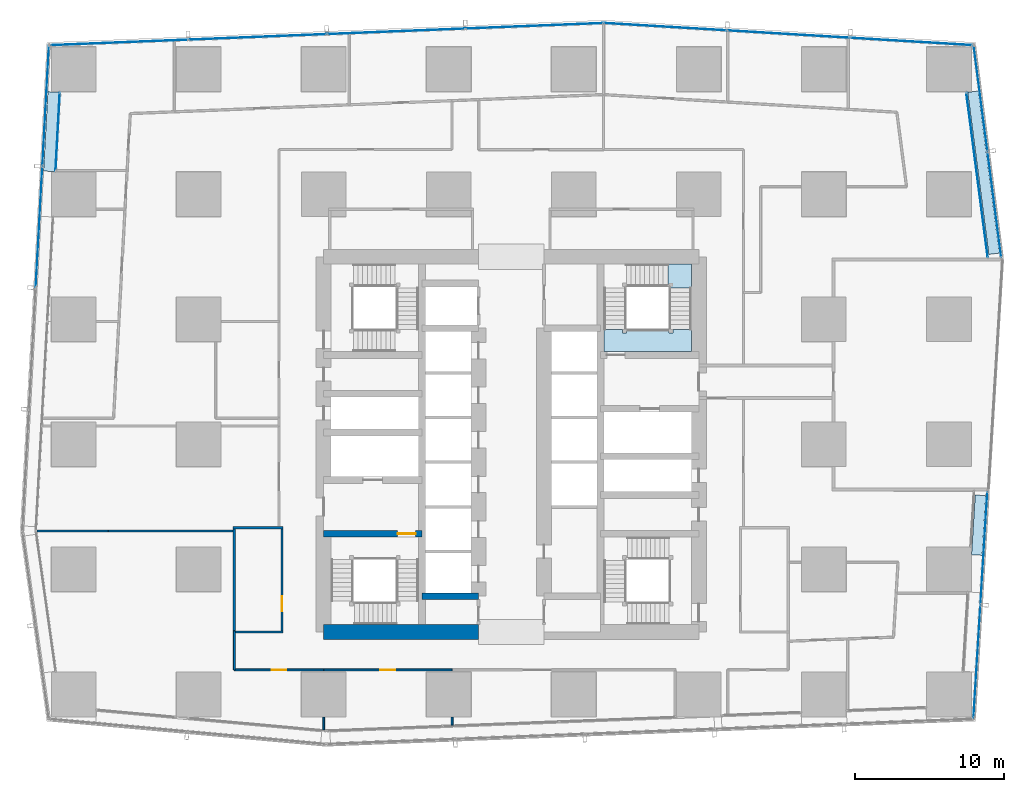
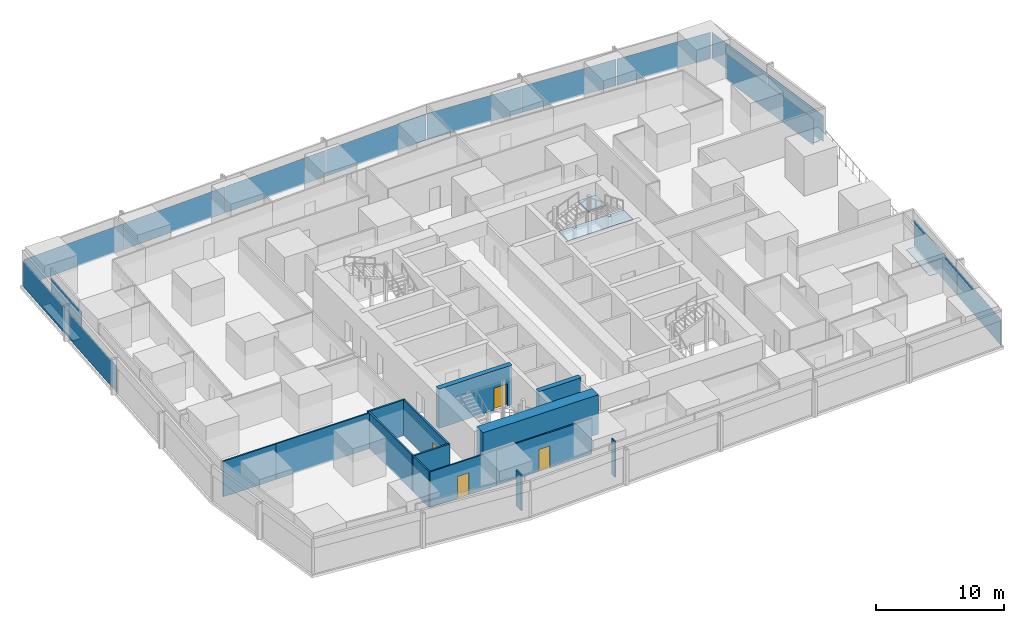
# One storey, part 26 of 38: 18 plates, 14 walls, 4 doors, 2 slabs, 4 openings, 8 elements without a shape of their own.
"""IFC4 building model written with IfcOpenShell, lengths in metres."""

import ifcopenshell
import ifcopenshell.guid

model = None  # the IFC model being written
_history = None  # IfcOwnerHistory: only IFC2X3 demands one
_inside = {}  # id of a spatial element -> (the spatial element, [elements in it])
_under = {}  # id of a project, library or spatial element -> (it, [spatial elements below it])
_declared = {}  # id of a project -> (the project, [libraries it declares])
_typed = {}  # id of a type object -> (the type object, [elements of that type])
_made_of = {}  # id of a material, layer set ... -> (it, [elements and type objects made of it])


def new_model(schema):
    """Start an empty IFC model of exactly this schema.

    Asked for "IFC4X3", IfcOpenShell would pick the latest addendum, in which some entities
    have other attributes; the version numbers below select the first issue.
    IFC2X3 requires an IfcOwnerHistory on every rooted entity: one is made here for all.
    """
    global model, _history
    if schema == "IFC4X3":
        model = ifcopenshell.file(schema_version=(4, 3, 0, 0))
    else:
        model = ifcopenshell.file(schema=schema)
    _inside.clear()
    _under.clear()
    _declared.clear()
    _typed.clear()
    _made_of.clear()
    _history = None
    if model.schema == "IFC2X3":
        org = make("IfcOrganization", Name="unknown")
        user = make(
            "IfcPersonAndOrganization",
            ThePerson=make("IfcPerson", FamilyName="unknown"),
            TheOrganization=org,
        )
        app = make(
            "IfcApplication",
            ApplicationDeveloper=org,
            Version="unknown",
            ApplicationFullName="unknown",
            ApplicationIdentifier="unknown",
        )
        _history = make(
            "IfcOwnerHistory",
            OwningUser=user,
            OwningApplication=app,
            ChangeAction="ADDED",
            CreationDate=0,
        )
    return model


def make(cls, **values):
    """One entity of the class cls with the attributes given. An attribute that is None is left unset."""
    return model.create_entity(
        cls, **{name: value for name, value in values.items() if value is not None}
    )


def rooted(cls, **values):
    """An entity with a GlobalId (a new one), such as an element, a storey or a relation."""
    return make(cls, GlobalId=ifcopenshell.guid.new(), OwnerHistory=_history, **values)


def si_unit(unit_type, name, prefix=None):
    """IfcSIUnit, for example si_unit("LENGTHUNIT", "METRE", prefix="MILLI")."""
    return make("IfcSIUnit", UnitType=unit_type, Prefix=prefix, Name=name)


def assignment(units):
    """IfcUnitAssignment: the units of a project."""
    return None if units is None else make("IfcUnitAssignment", Units=units)


def point(xyz):
    """IfcCartesianPoint."""
    return None if xyz is None else make("IfcCartesianPoint", Coordinates=xyz)


def direction(xyz):
    """IfcDirection."""
    return None if xyz is None else make("IfcDirection", DirectionRatios=xyz)


def frame(location, z_axis=None, x_axis=None):
    """IfcAxis2Placement3D, a coordinate frame: its origin and axes. An axis left out is left unset."""
    return make(
        "IfcAxis2Placement3D",
        Location=point(location),
        Axis=direction(z_axis),
        RefDirection=direction(x_axis),
    )


def frame_2d(location, x_axis=None):
    """IfcAxis2Placement2D, a coordinate frame in the plane: its origin and x axis."""
    return make(
        "IfcAxis2Placement2D", Location=point(location), RefDirection=direction(x_axis)
    )


def origin():
    """The frame at (0, 0, 0) with its axes left unset."""
    return frame((0.0, 0.0, 0.0))


def origin_2d():
    """The frame at (0, 0) in the plane with its x axis left unset."""
    return frame_2d((0.0, 0.0))


def place(relative_to, where):
    """IfcLocalPlacement: puts the frame where relative to a parent placement (None: the world)."""
    return make(
        "IfcLocalPlacement", PlacementRelTo=relative_to, RelativePlacement=where
    )


def context(
    kind, dimensions, precision=None, world=None, true_north=None, identifier=None
):
    """IfcGeometricRepresentationContext, for example the 3D "Model" context."""
    return make(
        "IfcGeometricRepresentationContext",
        ContextIdentifier=identifier,
        ContextType=kind,
        CoordinateSpaceDimension=dimensions,
        Precision=precision,
        WorldCoordinateSystem=world,
        TrueNorth=true_north,
    )


def subcontext(parent, identifier, kind, view, scale=None):
    """IfcGeometricRepresentationSubContext, for example "Body" below "Model"."""
    return make(
        "IfcGeometricRepresentationSubContext",
        ContextIdentifier=identifier,
        ContextType=kind,
        ParentContext=parent,
        TargetScale=scale,
        TargetView=view,
    )


def project(units=None, contexts=None):
    """IfcProject with its units and contexts."""
    return rooted(
        "IfcProject",
        Name="project",
        RepresentationContexts=contexts,
        UnitsInContext=assignment(units),
    )


def spatial(cls, under=None, at=None, **own):
    """A site, building, storey or space (cls), placed at a placement, below another one or the project."""
    s = rooted(cls, ObjectPlacement=at, **own)
    if under is not None:
        _under.setdefault(under.id(), (under, []))[1].append(s)
    return s


def polyline(points):
    """IfcPolyline through the points."""
    return make("IfcPolyline", Points=[point(p) for p in points])


def profile(cls, at=None, kind="AREA", **sizes):
    """A parametric profile (cls). Its sizes go by their IFC names, for example OverallWidth=200.0."""
    return make(cls, ProfileType=kind, Position=at, **sizes)


def rectangle(**sizes):
    """IfcRectangleProfileDef."""
    return profile("IfcRectangleProfileDef", **sizes)


def outline(outer, holes=None, kind="AREA"):
    """IfcArbitraryClosedProfileDef: a profile drawn as a closed curve; with holes, ...WithVoids."""
    if holes is None:
        return make("IfcArbitraryClosedProfileDef", ProfileType=kind, OuterCurve=outer)
    return make(
        "IfcArbitraryProfileDefWithVoids",
        ProfileType=kind,
        OuterCurve=outer,
        InnerCurves=holes,
    )


def extrude(swept, where, along, depth):
    """IfcExtrudedAreaSolid: the profile swept, set in the frame where, extruded along a direction by depth."""
    return make(
        "IfcExtrudedAreaSolid",
        SweptArea=swept,
        Position=where,
        ExtrudedDirection=direction(along),
        Depth=depth,
    )


def shape(context_of_items, identifier, shape_type, items):
    """IfcShapeRepresentation: the items that make up one representation, for example the "Body"."""
    return make(
        "IfcShapeRepresentation",
        ContextOfItems=context_of_items,
        RepresentationIdentifier=identifier,
        RepresentationType=shape_type,
        Items=items,
    )


def material(Name=None, Category=None):
    """IfcMaterial."""
    return make("IfcMaterial", Name=Name, Category=Category)


def layer(
    of_material, thickness, ventilated=None, Name=None, Category=None, Priority=None
):
    """IfcMaterialLayer: one layer of a wall or slab, of a material (None: an air gap)."""
    return make(
        "IfcMaterialLayer",
        Material=of_material,
        LayerThickness=thickness,
        IsVentilated=ventilated,
        Name=Name,
        Category=Category,
        Priority=Priority,
    )


def layer_set(layers, Name=None):
    """IfcMaterialLayerSet."""
    return make("IfcMaterialLayerSet", MaterialLayers=layers, LayerSetName=Name)


def made_of(thing, what):
    """Note that an element or type object is made of a material, layer set ...; save() writes the relation."""
    if what is not None:
        _made_of.setdefault(what.id(), (what, []))[1].append(thing)
    return thing


def type_object(cls, material=None, **own):
    """A type object (cls), such as IfcWallType, which elements share."""
    return made_of(rooted(cls, **own), material)


def element(
    cls,
    number,
    at=None,
    inside=None,
    cuts=None,
    type_object=None,
    material=None,
    context=None,
    identifier="Body",
    shape_type=None,
    held_by="IfcProductDefinitionShape",
    body=None,
    shapes=None,
    **own,
):
    """One element of the class cls, such as IfcWall. Its Tag is "e" and its number.

    at: its placement. inside: the storey or other place that contains it. cuts: it is an
    opening in that element (IfcRelVoidsElement). A single representation is given by context,
    identifier, shape_type and body (its items); several are given by shapes. held_by: the class
    of the entity that holds the representations. save() writes the other relations.
    """
    e = rooted(cls, Tag="e%d" % number, ObjectPlacement=at, **own)
    if body is not None:
        shapes = [shape(context, identifier, shape_type, body)]
    if shapes is not None:
        e.Representation = make(held_by, Representations=shapes)
    if inside is not None:
        _inside.setdefault(inside.id(), (inside, []))[1].append(e)
    if cuts is not None:
        rooted(
            "IfcRelVoidsElement", RelatingBuildingElement=cuts, RelatedOpeningElement=e
        )
    if type_object is not None:
        _typed.setdefault(type_object.id(), (type_object, []))[1].append(e)
    return made_of(e, material)


def fill(opening, filler):
    """IfcRelFillsElement: the door or window that sits in an opening."""
    return rooted(
        "IfcRelFillsElement",
        RelatingOpeningElement=opening,
        RelatedBuildingElement=filler,
    )


def aggregate(whole, parts):
    """IfcRelAggregates: a whole, such as a stair, and the parts it consists of."""
    return rooted("IfcRelAggregates", RelatingObject=whole, RelatedObjects=parts)


def save(model, path):
    """Write the relations noted so far, then the file.

    IfcRelAggregates (storeys below a building ...), IfcRelContainedInSpatialStructure (elements
    in a storey), IfcRelDefinesByType, IfcRelAssociatesMaterial and IfcRelDeclares: one each for
    every whole, place, type object, material and project.
    """
    for whole, parts in _under.values():
        aggregate(whole, parts)
    for where, things in _inside.values():
        rooted(
            "IfcRelContainedInSpatialStructure",
            RelatedElements=things,
            RelatingStructure=where,
        )
    for kind, things in _typed.values():
        rooted("IfcRelDefinesByType", RelatedObjects=things, RelatingType=kind)
    for what, things in _made_of.values():
        rooted("IfcRelAssociatesMaterial", RelatedObjects=things, RelatingMaterial=what)
    for by, libraries in _declared.values():
        rooted("IfcRelDeclares", RelatingContext=by, RelatedDefinitions=libraries)
    model.write(path)


model = new_model("IFC4")

# Units and contexts
model_context = context("Model", 3, precision=1e-05, world=origin(), true_north=direction((0.0, 1.0)))
body_context = subcontext(model_context, "Body", "Model", "MODEL_VIEW")
ifc_project = project(units=[si_unit("LENGTHUNIT", "METRE"), si_unit("AREAUNIT", "SQUARE_METRE"), si_unit("VOLUMEUNIT", "CUBIC_METRE"), si_unit("PLANEANGLEUNIT", "RADIAN"), si_unit("MASSUNIT", "GRAM", prefix="KILO")], contexts=[model_context])

# Site, building, storey
site_placement = place(None, origin())
site = spatial("IfcSite", under=ifc_project, at=site_placement, CompositionType="ELEMENT")
building_placement = place(site_placement, origin())
building = spatial("IfcBuilding", under=site, at=building_placement, Name="Rekha Terrace Tower", CompositionType="ELEMENT")
storey_placement = place(building_placement, frame((0.0, 0.0, 159.050048828125)))
storey = spatial("IfcBuildingStorey", under=building, at=storey_placement, Name="L40", CompositionType="ELEMENT", Elevation=159.050048828125)

# Curtain wall, plate
ifc_material_1 = material(Name="Aluminium framing", Category="aluminium")
curtain_wall_type_1 = type_object("IfcCurtainWallType", Name="CW1 double skin inner glazing", PredefinedType="USERDEFINED", material=ifc_material_1)
curtain_wall_1_placement = place(storey_placement, origin())
curtain_wall_1 = element("IfcCurtainWall", 1, at=curtain_wall_1_placement, inside=storey, type_object=curtain_wall_type_1, Name="CW1 double skin inner glazing", ObjectType="DOUBLE SKIN INNER GLAZING", PredefinedType="USERDEFINED")
ifc_material_2 = material(Name="Double-glazed low-e unit 32", Category="glass")
ifc_layer_1 = layer(ifc_material_2, 0.031982421875)
ifc_layer_set_1 = layer_set([ifc_layer_1], Name="Double-glazed low-e unit 32")
plate_type_1 = type_object("IfcPlateType", Name="CW1 jumbo vision panel, double-glazed low-e unit 32", PredefinedType="CURTAIN_PANEL", material=ifc_layer_set_1)
plate_1_placement = place(storey_placement, frame((69.091796875, 51.685546875, 0.0), z_axis=(0.0, 0.0, 1.0), x_axis=(-0.129118383606, 0.991629186246, 0.0)))
plate_1 = element("IfcPlate", 2, at=plate_1_placement, type_object=plate_type_1, Name="CW1 panel 1.1", PredefinedType="CURTAIN_PANEL", context=body_context, shape_type="SweptSolid", body=[
    extrude(rectangle(XDim=11.129150390625, YDim=0.031982421875, at=origin_2d()), origin(), (0.0, 0.0, 1.0), 2.5),
])
aggregate(curtain_wall_1, [plate_1])

curtain_wall_2_placement = place(storey_placement, origin())
curtain_wall_2 = element("IfcCurtainWall", 3, at=curtain_wall_2_placement, inside=storey, type_object=curtain_wall_type_1, Name="CW1 double skin inner glazing", ObjectType="DOUBLE SKIN INNER GLAZING", PredefinedType="USERDEFINED")
plate_2_placement = place(storey_placement, frame((7.332763671875, 54.60009765625, 0.0), z_axis=(0.0, 0.0, 1.0), x_axis=(-0.054742352777, -0.998500513176, 0.0)))
plate_2 = element("IfcPlate", 4, at=plate_2_placement, type_object=plate_type_1, Name="CW1 panel 1.1", PredefinedType="CURTAIN_PANEL", context=body_context, shape_type="SweptSolid", body=[
    extrude(rectangle(XDim=5.227783203125, YDim=0.031982421875, at=origin_2d()), origin(), (0.0, 0.0, 1.0), 2.5),
])
aggregate(curtain_wall_2, [plate_2])

# Curtain wall, plates
curtain_wall_type_2 = type_object("IfcCurtainWallType", Name="CW2 double skin outer glazing", PredefinedType="USERDEFINED", material=ifc_material_1)
curtain_wall_3_placement = place(storey_placement, origin())
curtain_wall_3 = element("IfcCurtainWall", 5, at=curtain_wall_3_placement, inside=storey, type_object=curtain_wall_type_2, Name="CW2 double skin outer glazing", ObjectType="DOUBLE SKIN OUTER GLAZING", PredefinedType="USERDEFINED")
ifc_material_3 = material(Name="Toughened single glazing 12", Category="glass")
ifc_layer_2 = layer(ifc_material_3, 0.011962890625)
ifc_layer_set_2 = layer_set([ifc_layer_2], Name="Toughened single glazing 12")
plate_type_2 = type_object("IfcPlateType", Name="CW2 jumbo vision panel, toughened single glazing 12", PredefinedType="CURTAIN_PANEL", material=ifc_layer_set_2)
plate_3_placement = place(storey_placement, frame((69.085205078125, 19.005126953125, 0.0), z_axis=(0.0, 0.0, 1.0), x_axis=(0.061159803148, 0.998127987023, 0.0)))
plate_3 = element("IfcPlate", 6, at=plate_3_placement, type_object=plate_type_2, Name="CW2 panel 1.1", PredefinedType="CURTAIN_PANEL", context=body_context, shape_type="SweptSolid", body=[
    extrude(rectangle(XDim=7.55615234375, YDim=0.011962890625, at=origin_2d()), origin(), (0.0, 0.0, 1.0), 2.5),
])
plate_4_placement = place(storey_placement, frame((69.55224609375, 26.627197265625, 0.0), z_axis=(0.0, 0.0, 1.0), x_axis=(0.061159803148, 0.998127987023, 0.0)))
plate_4 = element("IfcPlate", 7, at=plate_4_placement, type_object=plate_type_2, Name="CW2 panel 2.1", PredefinedType="CURTAIN_PANEL", context=body_context, shape_type="SweptSolid", body=[
    extrude(rectangle(XDim=7.55615234375, YDim=0.011962890625, at=origin_2d()), origin(), (0.0, 0.0, 1.0), 2.5),
])
aggregate(curtain_wall_3, [plate_3, plate_4])

curtain_wall_4_placement = place(storey_placement, origin())
curtain_wall_4 = element("IfcCurtainWall", 8, at=curtain_wall_4_placement, inside=storey, type_object=curtain_wall_type_2, Name="CW2 double skin outer glazing", ObjectType="DOUBLE SKIN OUTER GLAZING", PredefinedType="USERDEFINED")
plate_5_placement = place(storey_placement, frame((70.2568359375, 49.709228515625, 0.0), z_axis=(0.0, 0.0, 1.0), x_axis=(-0.129118383641, 0.991629186242, 0.0)))
plate_5 = element("IfcPlate", 9, at=plate_5_placement, type_object=plate_type_2, Name="CW2 panel 1.1", PredefinedType="CURTAIN_PANEL", context=body_context, shape_type="SweptSolid", body=[
    extrude(rectangle(XDim=7.113037109375, YDim=0.011962890625, at=origin_2d()), origin(), (0.0, 0.0, 1.0), 2.5),
])
plate_6_placement = place(storey_placement, frame((69.327880859375, 56.842041015625, 0.0), z_axis=(0.0, 0.0, 1.0), x_axis=(-0.129118383641, 0.991629186242, 0.0)))
plate_6 = element("IfcPlate", 10, at=plate_6_placement, type_object=plate_type_2, Name="CW2 panel 2.1", PredefinedType="CURTAIN_PANEL", context=body_context, shape_type="SweptSolid", body=[
    extrude(rectangle(XDim=7.113037109375, YDim=0.011962890625, at=origin_2d()), origin(), (0.0, 0.0, 1.0), 2.5),
])
aggregate(curtain_wall_4, [plate_5, plate_6])

curtain_wall_5_placement = place(storey_placement, origin())
curtain_wall_5 = element("IfcCurtainWall", 11, at=curtain_wall_5_placement, inside=storey, type_object=curtain_wall_type_2, Name="CW2 double skin outer glazing", ObjectType="DOUBLE SKIN OUTER GLAZING", PredefinedType="USERDEFINED")
plate_7_placement = place(storey_placement, frame((6.52685546875, 56.342041015625, 0.0), z_axis=(0.0, 0.0, 1.0), x_axis=(-0.054742352707, -0.99850051318, 0.0)))
plate_7 = element("IfcPlate", 12, at=plate_7_placement, type_object=plate_type_2, Name="CW2 panel 1.1", PredefinedType="CURTAIN_PANEL", context=body_context, shape_type="SweptSolid", body=[
    extrude(rectangle(XDim=8.06005859375, YDim=0.011962890625, at=origin_2d()), origin(), (0.0, 0.0, 1.0), 2.5),
])
plate_8_placement = place(storey_placement, frame((6.080078125, 48.1943359375, 0.0), z_axis=(0.0, 0.0, 1.0), x_axis=(-0.054742352707, -0.99850051318, 0.0)))
plate_8 = element("IfcPlate", 13, at=plate_8_placement, type_object=plate_type_2, Name="CW2 panel 2.1", PredefinedType="CURTAIN_PANEL", context=body_context, shape_type="SweptSolid", body=[
    extrude(rectangle(XDim=8.10009765625, YDim=0.011962890625, at=origin_2d()), origin(), (0.0, 0.0, 1.0), 2.5),
])
aggregate(curtain_wall_5, [plate_7, plate_8])

curtain_wall_type_3 = type_object("IfcCurtainWallType", Name="CW3 north unitised glazing", PredefinedType="USERDEFINED", material=ifc_material_1)
curtain_wall_6_placement = place(storey_placement, origin())
curtain_wall_6 = element("IfcCurtainWall", 14, at=curtain_wall_6_placement, inside=storey, type_object=curtain_wall_type_3, Name="CW3 unitised curtain wall", ObjectType="UNITISED CURTAIN WALL", PredefinedType="USERDEFINED")
ifc_material_4 = material(Name="Double-glazed unit 28", Category="glass")
ifc_layer_3 = layer(ifc_material_4, 0.028076171875)
ifc_layer_set_3 = layer_set([ifc_layer_3], Name="Double-glazed unit 28")
plate_type_3 = type_object("IfcPlateType", Name="CW3 jumbo vision panel, double-glazed unit 28", PredefinedType="CURTAIN_PANEL", material=ifc_layer_set_3)
plate_9_placement = place(storey_placement, frame((64.6748046875, 60.65966796875, 0.0), z_axis=(0.0, 0.0, 1.0), x_axis=(-0.998199102701, 0.059987926837, 0.0)))
plate_9 = element("IfcPlate", 15, at=plate_9_placement, type_object=plate_type_3, Name="CW3 panel 1.1", PredefinedType="CURTAIN_PANEL", context=body_context, shape_type="SweptSolid", body=[
    extrude(rectangle(XDim=8.171630859375, YDim=0.028076171875, at=origin_2d()), origin(), (0.0, 0.0, 1.0), 2.5),
])
plate_10_placement = place(storey_placement, frame((56.430419921875, 61.155029296875, 0.0), z_axis=(0.0, 0.0, 1.0), x_axis=(-0.998199102701, 0.059987926837, 0.0)))
plate_10 = element("IfcPlate", 16, at=plate_10_placement, type_object=plate_type_3, Name="CW3 panel 2.1", PredefinedType="CURTAIN_PANEL", context=body_context, shape_type="SweptSolid", body=[
    extrude(rectangle(XDim=8.20654296875, YDim=0.028076171875, at=origin_2d()), origin(), (0.0, 0.0, 1.0), 2.5),
])
plate_11_placement = place(storey_placement, frame((48.1513671875, 61.652587890625, 0.0), z_axis=(0.0, 0.0, 1.0), x_axis=(-0.998199102701, 0.059987926837, 0.0)))
plate_11 = element("IfcPlate", 17, at=plate_11_placement, type_object=plate_type_3, Name="CW3 panel 3.1", PredefinedType="CURTAIN_PANEL", context=body_context, shape_type="SweptSolid", body=[
    extrude(rectangle(XDim=8.24169921875, YDim=0.028076171875, at=origin_2d()), origin(), (0.0, 0.0, 1.0), 2.5),
])
aggregate(curtain_wall_6, [plate_9, plate_10, plate_11])

curtain_wall_7_placement = place(storey_placement, origin())
curtain_wall_7 = element("IfcCurtainWall", 18, at=curtain_wall_7_placement, inside=storey, type_object=curtain_wall_type_3, Name="CW3 unitised curtain wall", ObjectType="UNITISED CURTAIN WALL", PredefinedType="USERDEFINED")
plate_12_placement = place(storey_placement, frame((39.364501953125, 61.71240234375, 0.0), z_axis=(0.0, 0.0, 1.0), x_axis=(-0.999198398721, -0.040031987119, 0.0)))
plate_12 = element("IfcPlate", 19, at=plate_12_placement, type_object=plate_type_3, Name="CW3 panel 1.1", PredefinedType="CURTAIN_PANEL", context=body_context, shape_type="SweptSolid", body=[
    extrude(rectangle(XDim=9.214599609375, YDim=0.028076171875, at=origin_2d()), origin(), (0.0, 0.0, 1.0), 2.5),
])
plate_13_placement = place(storey_placement, frame((30.06982421875, 61.340087890625, 0.0), z_axis=(0.0, 0.0, 1.0), x_axis=(-0.999198398721, -0.040031987119, 0.0)))
plate_13 = element("IfcPlate", 20, at=plate_13_placement, type_object=plate_type_3, Name="CW3 panel 2.1", PredefinedType="CURTAIN_PANEL", context=body_context, shape_type="SweptSolid", body=[
    extrude(rectangle(XDim=9.24951171875, YDim=0.028076171875, at=origin_2d()), origin(), (0.0, 0.0, 1.0), 2.5),
])
plate_14_placement = place(storey_placement, frame((20.7578125, 60.967041015625, 0.0), z_axis=(0.0, 0.0, 1.0), x_axis=(-0.999198398721, -0.040031987119, 0.0)))
plate_14 = element("IfcPlate", 21, at=plate_14_placement, type_object=plate_type_3, Name="CW3 panel 3.1", PredefinedType="CURTAIN_PANEL", context=body_context, shape_type="SweptSolid", body=[
    extrude(rectangle(XDim=9.24951171875, YDim=0.028076171875, at=origin_2d()), origin(), (0.0, 0.0, 1.0), 2.5),
])
plate_15_placement = place(storey_placement, frame((11.46337890625, 60.5947265625, 0.0), z_axis=(0.0, 0.0, 1.0), x_axis=(-0.999198398721, -0.040031987119, 0.0)))
plate_15 = element("IfcPlate", 22, at=plate_15_placement, type_object=plate_type_3, Name="CW3 panel 4.1", PredefinedType="CURTAIN_PANEL", context=body_context, shape_type="SweptSolid", body=[
    extrude(rectangle(XDim=9.214599609375, YDim=0.028076171875, at=origin_2d()), origin(), (0.0, 0.0, 1.0), 2.5),
])
aggregate(curtain_wall_7, [plate_12, plate_13, plate_14, plate_15])

# Plates
ifc_material_5 = material(Name="Galvanised steel open grating", Category="steel")
ifc_layer_4 = layer(ifc_material_5, 0.050048828125)
ifc_layer_set_4 = layer_set([ifc_layer_4], Name="Galvanised steel open grating")
plate_type_4 = type_object("IfcPlateType", Name="GT1 cavity walkway grating 50", PredefinedType="USERDEFINED", material=ifc_layer_set_4)
plate_16_placement = place(storey_placement, frame((69.196044921875, 28.172119140625, 0.0), z_axis=(0.0, 0.0, 1.0), x_axis=(0.061159803131, 0.998127987024, 0.0)))
element("IfcPlate", 23, at=plate_16_placement, inside=storey, type_object=plate_type_4, Name="Cavity walkway grating", ObjectType="CAVITY WALKWAY GRATING", PredefinedType="USERDEFINED", context=body_context, shape_type="SweptSolid", body=[
    extrude(rectangle(XDim=4.0205078125, YDim=0.705078125, at=origin_2d()), origin(), (0.0, 0.0, 1.0), 0.050048828125),
])
plate_17_placement = place(storey_placement, frame((69.5244140625, 51.84765625, 0.0), z_axis=(0.0, 0.0, 1.0), x_axis=(-0.129118383623, 0.991629186244, 0.0)))
element("IfcPlate", 24, at=plate_17_placement, inside=storey, type_object=plate_type_4, Name="Cavity walkway grating", ObjectType="CAVITY WALKWAY GRATING", PredefinedType="USERDEFINED", context=body_context, shape_type="SweptSolid", body=[
    extrude(rectangle(XDim=10.986328125, YDim=0.705078125, at=origin_2d()), origin(), (0.0, 0.0, 1.0), 0.050048828125),
])
plate_18_placement = place(storey_placement, frame((6.88232421875, 54.606689453125, 0.0), z_axis=(0.0, 0.0, 1.0), x_axis=(-0.05474235269, -0.998500513181, 0.0)))
element("IfcPlate", 25, at=plate_18_placement, inside=storey, type_object=plate_type_4, Name="Cavity walkway grating", ObjectType="CAVITY WALKWAY GRATING", PredefinedType="USERDEFINED", context=body_context, shape_type="SweptSolid", body=[
    extrude(rectangle(XDim=5.340576171875, YDim=0.705078125, at=origin_2d()), origin(), (0.0, 0.0, 1.0), 0.050048828125),
])

# Stair, slabs
ifc_material_6 = material(Name="Concrete M40", Category="concrete")
stair_type = type_object("IfcStairType", Name="ST30 stair, 30 risers of 125, going 310, 1500 wide flights, 3 flights", PredefinedType="HALF_TURN_STAIR", material=ifc_material_6)
stair_placement = place(storey_placement, origin())
stair = element("IfcStair", 26, at=stair_placement, inside=storey, type_object=stair_type, Name="Stair ST2 L40 to L41", PredefinedType="HALF_TURN_STAIR")
ifc_layer_5 = layer(ifc_material_6, 0.199951171875)
ifc_layer_set_5 = layer_set([ifc_layer_5], Name="Concrete M40")
slab_type = type_object("IfcSlabType", Name="LD1 200 concrete stair landing", PredefinedType="LANDING", material=ifc_layer_set_5)
slab_1_placement = place(storey_placement, frame((0.0, 0.0, 2.300048828125)))
slab_1 = element("IfcSlab", 27, at=slab_1_placement, type_object=slab_type, Name="ST2 landing 2", PredefinedType="LANDING", context=body_context, shape_type="SweptSolid", body=[
    extrude(outline(polyline([(48.39990234375, 44.114990234375), (49.89990234375, 44.114990234375), (49.89990234375, 45.699951171875), (48.31494140625, 45.699951171875), (48.31494140625, 44.199951171875), (48.39990234375, 44.199951171875), (48.39990234375, 44.114990234375)])), origin(), (0.0, 0.0, 1.0), 0.199951171875),
])
slab_2_placement = place(storey_placement, frame((0.0, 0.0, 3.550048828125)))
slab_2 = element("IfcSlab", 28, at=slab_2_placement, type_object=slab_type, Name="ST2 landing 3", PredefinedType="LANDING", context=body_context, shape_type="SweptSolid", body=[
    extrude(outline(polyline([(44.02490234375, 41.324951171875), (44.02490234375, 39.824951171875), (49.89990234375, 39.824951171875), (49.89990234375, 41.324951171875), (48.64990234375, 41.324951171875), (48.64990234375, 41.074951171875), (48.39990234375, 41.074951171875), (48.39990234375, 41.324951171875), (45.52490234375, 41.324951171875), (45.52490234375, 41.074951171875), (45.27490234375, 41.074951171875), (45.27490234375, 41.324951171875), (44.02490234375, 41.324951171875)])), origin(), (0.0, 0.0, 1.0), 0.199951171875),
])
aggregate(stair, [slab_1, slab_2])

# Wall
ifc_material_7 = material(Name="Concrete M70", Category="concrete")
ifc_layer_6 = layer(ifc_material_7, 0.449951171875)
ifc_layer_set_6 = layer_set([ifc_layer_6], Name="Concrete M70")
wall_type_1 = type_object("IfcWallType", Name="CI2 450 core internal shear wall", PredefinedType="SHEAR", material=ifc_layer_set_6)
wall_1_placement = place(storey_placement, frame((31.800048828125, 23.39990234375, 0.0), z_axis=(0.0, 0.0, 1.0), x_axis=(1.0, 0.0, 0.0)))
element("IfcWall", 29, at=wall_1_placement, inside=storey, type_object=wall_type_1, Name="Core wall Y234W L40", PredefinedType="SHEAR", context=body_context, shape_type="SweptSolid", body=[
    extrude(rectangle(XDim=3.800048828125, YDim=0.449951171875, at=frame_2d((1.89990234375, 0.0))), origin(), (0.0, 0.0, 1.0), 3.75),
])

# Wall, opening, door
wall_2_placement = place(storey_placement, frame((25.199951171875, 27.60009765625, 0.0), z_axis=(0.0, 0.0, 1.0), x_axis=(1.0, 0.0, 0.0)))
wall_2 = element("IfcWall", 30, at=wall_2_placement, inside=storey, type_object=wall_type_1, Name="Core wall Y276W L40", PredefinedType="SHEAR", context=body_context, shape_type="SweptSolid", body=[
    extrude(rectangle(XDim=6.60009765625, YDim=0.449951171875, at=frame_2d((3.300048828125, 0.0))), origin(), (0.0, 0.0, 1.0), 3.75),
])
opening_1_placement = place(wall_2_placement, frame((4.97509765625, 0.0, 0.0)))
opening_1 = element("IfcOpeningElement", 31, at=opening_1_placement, cuts=wall_2, Name="Opening D1", PredefinedType="OPENING", context=body_context, shape_type="SweptSolid", body=[
    extrude(rectangle(XDim=1.199951171875, YDim=2.10009765625, at=frame_2d((0.60009765625, 1.050048828125))), frame((0.0, 0.23486328125, 0.0), z_axis=(0.0, -1.0, 0.0), x_axis=(1.0, 0.0, 0.0)), (0.0, 0.0, 1.0), 0.469970703125),
])
ifc_material_8 = material(Name="Steel fire door", Category="steel")
door_type_1 = type_object("IfcDoorType", Name="D1 1200x2100 stair fire door", OperationType="SINGLE_SWING_RIGHT", PredefinedType="DOOR", material=ifc_material_8)
door_1_placement = place(opening_1_placement, origin())
door_1 = element("IfcDoor", 32, at=door_1_placement, inside=storey, type_object=door_type_1, Name="Stair ST1 door L40", OperationType="SINGLE_SWING_RIGHT", OverallHeight=2.10009765625, OverallWidth=1.199951171875, PredefinedType="DOOR", context=body_context, shape_type="SweptSolid", body=[
    extrude(rectangle(XDim=1.199951171875, YDim=2.10009765625, at=frame_2d((0.60009765625, 1.050048828125))), frame((0.0, 0.02490234375, 0.0), z_axis=(0.0, -1.0, 0.0), x_axis=(1.0, 0.0, 0.0)), (0.0, 0.0, 1.0), 0.050048828125),
])
fill(opening_1, door_1)

# Walls
ifc_layer_7 = layer(ifc_material_7, 1.0)
ifc_layer_set_7 = layer_set([ifc_layer_7], Name="Concrete M70")
wall_type_2 = type_object("IfcWallType", Name="SW2 1000 core outer shear wall", PredefinedType="SHEAR", material=ifc_layer_set_7)
wall_3_placement = place(storey_placement, frame((25.199951171875, 21.0, 0.0), z_axis=(0.0, 0.0, 1.0), x_axis=(1.0, 0.0, 0.0)))
element("IfcWall", 33, at=wall_3_placement, inside=storey, type_object=wall_type_2, Name="Core wall S1 L40", PredefinedType="SHEAR", context=body_context, shape_type="SweptSolid", body=[
    extrude(rectangle(XDim=10.400146484375, YDim=1.0, at=frame_2d((5.2001953125, 0.0))), origin(), (0.0, 0.0, 1.0), 3.75),
])
ifc_material_9 = material(Name="Concrete block masonry, 1 hour", Category="masonry")
ifc_layer_8 = layer(ifc_material_9, 0.14990234375)
ifc_layer_set_8 = layer_set([ifc_layer_8], Name="Concrete block masonry, 1 hour")
wall_type_3 = type_object("IfcWallType", Name="WP2 150 tenancy partition", PredefinedType="PARTITIONING", material=ifc_layer_set_8)
for number, where, z_axis, x_axis, name in (
    (34, (19.125, 21.0, 0.0), (0.0, 0.0, 1.0), (1.0, 0.0, 0.0), "Men's WC wall L40"),
    (35, (19.125, 28.0, 0.0), (0.0, 0.0, 1.0), (1.0, 0.0, 0.0), "Men's WC wall L40"),
):
    element("IfcWall", number, at=place(storey_placement, frame(where, z_axis=z_axis, x_axis=x_axis)), inside=storey, type_object=wall_type_3, Name=name, PredefinedType="PARTITIONING", context=body_context, shape_type="SweptSolid", body=[
        extrude(rectangle(XDim=3.35009765625, YDim=0.14990234375, at=frame_2d((1.675048828125, 0.0))), origin(), (0.0, 0.0, 1.0), 3.39990234375),
    ])
wall_4_placement = place(storey_placement, frame((19.199951171875, 21.074951171875, 0.0), z_axis=(0.0, 0.0, 1.0), x_axis=(0.0, 1.0, 0.0)))
element("IfcWall", 36, at=wall_4_placement, inside=storey, type_object=wall_type_3, Name="Men's WC wall L40", PredefinedType="PARTITIONING", context=body_context, shape_type="SweptSolid", body=[
    extrude(rectangle(XDim=6.85009765625, YDim=0.14990234375, at=frame_2d((3.425048828125, 0.0))), origin(), (0.0, 0.0, 1.0), 3.39990234375),
])

# Wall, opening, door
wall_5_placement = place(storey_placement, frame((22.39990234375, 21.074951171875, 0.0), z_axis=(0.0, 0.0, 1.0), x_axis=(0.0, 1.0, 0.0)))
wall_5 = element("IfcWall", 37, at=wall_5_placement, inside=storey, type_object=wall_type_3, Name="Men's WC wall L40", PredefinedType="PARTITIONING", context=body_context, shape_type="SweptSolid", body=[
    extrude(rectangle(XDim=6.85009765625, YDim=0.14990234375, at=frame_2d((3.425048828125, 0.0))), origin(), (0.0, 0.0, 1.0), 3.39990234375),
])
opening_2_placement = place(wall_5_placement, frame((1.324951171875, 0.0, 0.0)))
opening_2 = element("IfcOpeningElement", 38, at=opening_2_placement, cuts=wall_5, Name="Opening D3", PredefinedType="OPENING", context=body_context, shape_type="SweptSolid", body=[
    extrude(rectangle(XDim=1.0, YDim=2.10009765625, at=frame_2d((0.5, 1.050048828125))), frame((0.0, 0.0849609375, 0.0), z_axis=(0.0, -1.0, 0.0), x_axis=(1.0, 0.0, 0.0)), (0.0, 0.0, 1.0), 0.169921875),
])
ifc_material_10 = material(Name="Laminated timber fire door", Category="wood")
door_type_2 = type_object("IfcDoorType", Name="D3 1000x2100 WC door", OperationType="SINGLE_SWING_LEFT", PredefinedType="DOOR", material=ifc_material_10)
door_2_placement = place(opening_2_placement, origin())
door_2 = element("IfcDoor", 39, at=door_2_placement, inside=storey, type_object=door_type_2, Name="Door men's wc L40", OperationType="SINGLE_SWING_LEFT", OverallHeight=2.10009765625, OverallWidth=1.0, PredefinedType="DOOR", context=body_context, shape_type="SweptSolid", body=[
    extrude(rectangle(XDim=1.0, YDim=2.10009765625, at=frame_2d((0.5, 1.050048828125))), frame((0.0, 0.02490234375, 0.0), z_axis=(0.0, -1.0, 0.0), x_axis=(1.0, 0.0, 0.0)), (0.0, 0.0, 1.0), 0.050048828125),
])
fill(opening_2, door_2)

# Walls
ifc_material_11 = material(Name="Two layers of fire-rated gypsum board each side on steel studs, acoustic quilt, 1 hour", Category="steel")
ifc_layer_9 = layer(ifc_material_11, 0.125)
ifc_layer_set_9 = layer_set([ifc_layer_9], Name="Two layers of fire-rated gypsum board each side on steel studs, acoustic quilt, 1 hour")
wall_type_4 = type_object("IfcWallType", Name="WP3 125 office partition", PredefinedType="PARTITIONING", material=ifc_layer_set_9)
wall_6_placement = place(storey_placement, frame((5.948974609375, 27.781005859375, 0.0), z_axis=(0.0, 0.0, 1.0), x_axis=(1.0, 0.0, 0.0)))
element("IfcWall", 40, at=wall_6_placement, inside=storey, type_object=wall_type_4, Name="Partition L40-14", PredefinedType="PARTITIONING", context=body_context, shape_type="SweptSolid", body=[
    extrude(rectangle(XDim=4.76708984375, YDim=0.125, at=frame_2d((2.383544921875, 0.0))), origin(), (0.0, 0.0, 1.0), 3.39990234375),
])
wall_7_placement = place(storey_placement, frame((10.716064453125, 27.781005859375, 0.0), z_axis=(0.0, 0.0, 1.0), x_axis=(1.0, 0.0, 0.0)))
element("IfcWall", 41, at=wall_7_placement, inside=storey, type_object=wall_type_4, Name="Partition L40-15", PredefinedType="PARTITIONING", context=body_context, shape_type="SweptSolid", body=[
    extrude(rectangle(XDim=8.408935546875, YDim=0.125, at=frame_2d((4.20458984375, 0.0))), origin(), (0.0, 0.0, 1.0), 3.39990234375),
])
wall_8_placement = place(storey_placement, frame((19.199951171875, 21.074951171875, 0.0), z_axis=(0.0, 0.0, 1.0), x_axis=(0.0, -1.0, 0.0)))
element("IfcWall", 42, at=wall_8_placement, inside=storey, type_object=wall_type_4, Name="Partition L40-15", PredefinedType="PARTITIONING", context=body_context, shape_type="SweptSolid", body=[
    extrude(rectangle(XDim=2.625, YDim=0.125, at=frame_2d((1.3125, 0.0))), origin(), (0.0, 0.0, 1.0), 3.39990234375),
])

# Wall, opening, door
wall_9_placement = place(storey_placement, frame((19.199951171875, 18.449951171875, 0.0), z_axis=(0.0, 0.0, 1.0), x_axis=(1.0, 0.0, 0.0)))
wall_9 = element("IfcWall", 43, at=wall_9_placement, inside=storey, type_object=wall_type_4, Name="Partition L40-15", PredefinedType="PARTITIONING", context=body_context, shape_type="SweptSolid", body=[
    extrude(rectangle(XDim=6.0009765625, YDim=0.125, at=frame_2d((3.00048828125, 0.0))), origin(), (0.0, 0.0, 1.0), 3.39990234375),
])
opening_3_placement = place(wall_9_placement, frame((2.5, 0.0, 0.0)))
opening_3 = element("IfcOpeningElement", 44, at=opening_3_placement, cuts=wall_9, Name="Opening D9", PredefinedType="OPENING", context=body_context, shape_type="SweptSolid", body=[
    extrude(rectangle(XDim=1.0, YDim=2.10009765625, at=frame_2d((0.5, 1.050048828125))), frame((0.0, 0.072509765625, 0.0), z_axis=(0.0, -1.0, 0.0), x_axis=(1.0, 0.0, 0.0)), (0.0, 0.0, 1.0), 0.14501953125),
])
ifc_material_12 = material(Name="Timber fire door", Category="wood")
door_type_3 = type_object("IfcDoorType", Name="D9 1000x2100 office door", OperationType="SINGLE_SWING_LEFT", PredefinedType="DOOR", material=ifc_material_12)
door_3_placement = place(opening_3_placement, origin())
door_3 = element("IfcDoor", 45, at=door_3_placement, inside=storey, type_object=door_type_3, Name="Door office L40", OperationType="SINGLE_SWING_LEFT", OverallHeight=2.10009765625, OverallWidth=1.0, PredefinedType="DOOR", context=body_context, shape_type="SweptSolid", body=[
    extrude(rectangle(XDim=1.0, YDim=2.10009765625, at=frame_2d((0.5, 1.050048828125))), frame((0.0, 0.02490234375, 0.0), z_axis=(0.0, -1.0, 0.0), x_axis=(1.0, 0.0, 0.0)), (0.0, 0.0, 1.0), 0.050048828125),
])
fill(opening_3, door_3)

# Wall
wall_10_placement = place(storey_placement, frame((25.200927734375, 15.280029296875, 0.0), z_axis=(0.0, 0.0, 1.0), x_axis=(0.0, -1.0, 0.0)))
element("IfcWall", 46, at=wall_10_placement, inside=storey, type_object=wall_type_4, Name="Partition L40-15", PredefinedType="PARTITIONING", context=body_context, shape_type="SweptSolid", body=[
    extrude(rectangle(XDim=0.85498046875, YDim=0.125, at=frame_2d((0.427490234375, 0.0))), origin(), (0.0, 0.0, 1.0), 3.39990234375),
])

# Wall, opening, door
wall_11_placement = place(storey_placement, frame((25.201904296875, 18.449951171875, 0.0), z_axis=(0.0, 0.0, 1.0), x_axis=(1.0, 0.0, 0.0)))
wall_11 = element("IfcWall", 47, at=wall_11_placement, inside=storey, type_object=wall_type_4, Name="Partition L40-16", PredefinedType="PARTITIONING", context=body_context, shape_type="SweptSolid", body=[
    extrude(rectangle(XDim=8.623046875, YDim=0.125, at=frame_2d((4.3115234375, 0.0))), origin(), (0.0, 0.0, 1.0), 3.39990234375),
])
opening_4_placement = place(wall_11_placement, frame((3.81103515625, 0.0, 0.0)))
opening_4 = element("IfcOpeningElement", 48, at=opening_4_placement, cuts=wall_11, Name="Opening D9", PredefinedType="OPENING", context=body_context, shape_type="SweptSolid", body=[
    extrude(rectangle(XDim=1.0, YDim=2.10009765625, at=frame_2d((0.5, 1.050048828125))), frame((0.0, 0.072509765625, 0.0), z_axis=(0.0, -1.0, 0.0), x_axis=(1.0, 0.0, 0.0)), (0.0, 0.0, 1.0), 0.14501953125),
])
door_4_placement = place(opening_4_placement, origin())
door_4 = element("IfcDoor", 49, at=door_4_placement, inside=storey, type_object=door_type_3, Name="Door quiet room L40", OperationType="SINGLE_SWING_LEFT", OverallHeight=2.10009765625, OverallWidth=1.0, PredefinedType="DOOR", context=body_context, shape_type="SweptSolid", body=[
    extrude(rectangle(XDim=1.0, YDim=2.10009765625, at=frame_2d((0.5, 1.050048828125))), frame((0.0, 0.02490234375, 0.0), z_axis=(0.0, -1.0, 0.0), x_axis=(1.0, 0.0, 0.0)), (0.0, 0.0, 1.0), 0.050048828125),
])
fill(opening_4, door_4)

# Wall
wall_12_placement = place(storey_placement, frame((33.824951171875, 15.280029296875, 0.0), z_axis=(0.0, 0.0, 1.0), x_axis=(0.0, -1.0, 0.0)))
element("IfcWall", 50, at=wall_12_placement, inside=storey, type_object=wall_type_4, Name="Partition L40-16", PredefinedType="PARTITIONING", context=body_context, shape_type="SweptSolid", body=[
    extrude(rectangle(XDim=0.5380859375, YDim=0.125, at=frame_2d((0.26904296875, 0.0))), origin(), (0.0, 0.0, 1.0), 3.39990234375),
])

save(model, "model.ifc")
